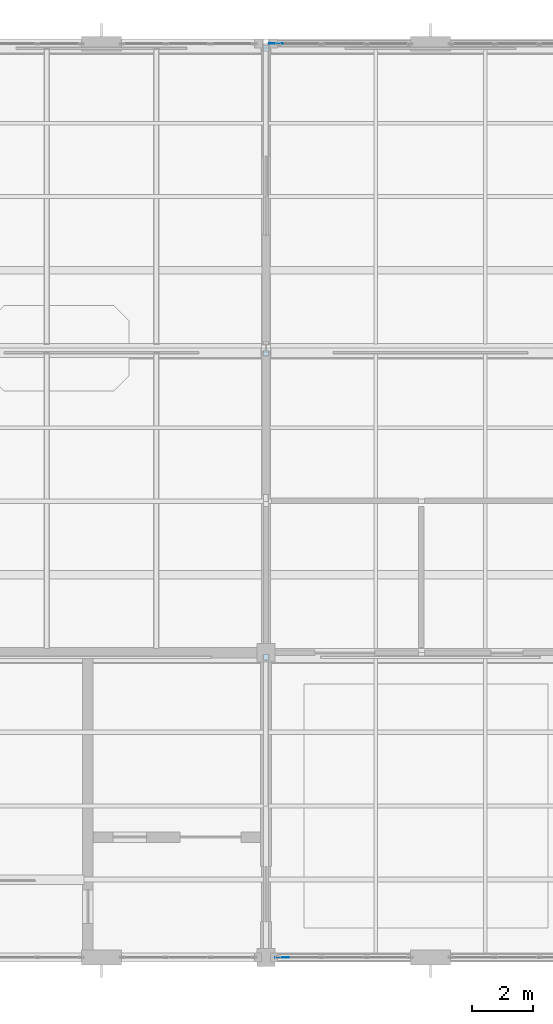
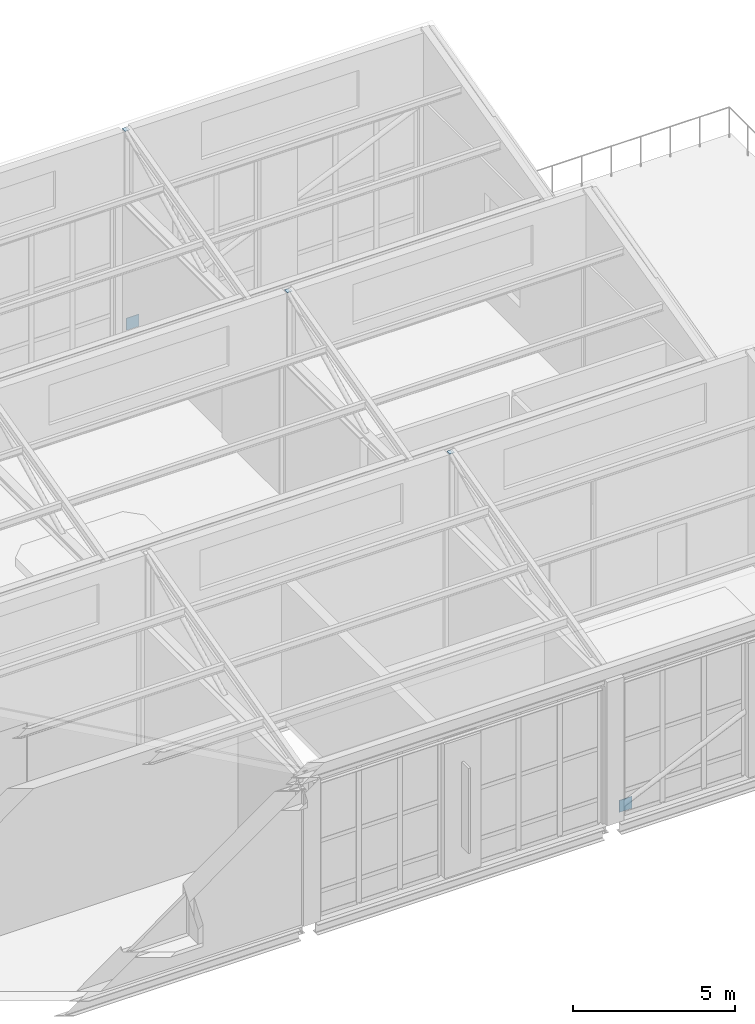
# One storey, part 38 of 49: 5 plates.
"""IFC4 building model written with IfcOpenShell, lengths in metres."""

from ifc_helpers import new_model, si_unit, direction, frame, origin, origin_2d, place, context, subcontext, project, spatial, rectangle, extrude, material, layer, layer_set, type_object, element, save


model = new_model("IFC4")

# Units and contexts
model_context = context("Model", 3, precision=1e-05, world=origin(), true_north=direction((0.0, 1.0)))
body_context = subcontext(model_context, "Body", "Model", "MODEL_VIEW")
ifc_project = project(units=[si_unit("LENGTHUNIT", "METRE"), si_unit("AREAUNIT", "SQUARE_METRE"), si_unit("VOLUMEUNIT", "CUBIC_METRE"), si_unit("PLANEANGLEUNIT", "RADIAN"), si_unit("MASSUNIT", "GRAM", prefix="KILO")], contexts=[model_context])

# Site, building, storey
site_placement = place(None, origin())
site = spatial("IfcSite", under=ifc_project, at=site_placement, CompositionType="ELEMENT")
building_placement = place(site_placement, origin())
building = spatial("IfcBuilding", under=site, at=building_placement, Name="Tasgan Crest Museum", CompositionType="ELEMENT")
storey_placement = place(building_placement, frame((0.0, 0.0, 28.800048828125)))
storey = spatial("IfcBuildingStorey", under=building, at=storey_placement, Name="L05", CompositionType="ELEMENT", Elevation=28.800048828125)

# Plates
ifc_material_1 = material(Name="Steel S355K2", Category="steel")
ifc_layer_1 = layer(ifc_material_1, 0.179931640625, Name="PL-CAP-180x180x10")
ifc_layer_set_1 = layer_set([ifc_layer_1], Name="Steel S355K2")
plate_type_1 = type_object("IfcPlateType", Name="PL-CAP-180x180x10", PredefinedType="USERDEFINED", material=ifc_layer_set_1)
for number, where, z_axis, x_axis, name in (
    (1, (64.800048828125, 91.85009765625, 7.7998046875), (0.0, 0.0, 1.0), (1.0, 0.0, 0.0), "End plate Roof truss north post B1 7 end B"),
    (2, (64.800048828125, 101.85009765625, 7.7998046875), (0.0, 0.0, 1.0), (1.0, 0.0, 0.0), "End plate Roof truss north post B2 7 end B"),
    (3, (64.800048828125, 111.85009765625, 7.7998046875), (0.0, 0.0, 1.0), (1.0, 0.0, 0.0), "End plate Roof truss north post B3 7 end B"),
):
    element("IfcPlate", number, at=place(storey_placement, frame(where, z_axis=z_axis, x_axis=x_axis)), inside=storey, type_object=plate_type_1, Name=name, ObjectType="END PLATE", PredefinedType="USERDEFINED", context=body_context, shape_type="SweptSolid", body=[
        extrude(rectangle(XDim=0.179931640625, YDim=0.179931640625, at=origin_2d()), origin(), (0.0, 0.0, 1.0), 0.010009765625),
    ])
ifc_material_2 = material(Name="Steel S355K2", Category="steel")
ifc_layer_2 = layer(ifc_material_2, 0.02001953125, Name="PL-GUSSET-450")
ifc_layer_set_2 = layer_set([ifc_layer_2], Name="Steel S355K2")
plate_type_2 = type_object("IfcPlateType", Name="PL-GUSSET-450", PredefinedType="USERDEFINED", material=ifc_layer_set_2)
for number, where, z_axis, x_axis, name in (
    (4, (65.125, 112.0, 0.125), (0.0, 0.0, 1.0), (1.0, 0.0, 0.0), "Diagonal gusset plate L05 M 64.8"),
    (5, (65.324951171875, 82.0, 0.125), (0.0, 0.0, 1.0), (1.0, 0.0, 0.0), "Diagonal gusset plate L05 J 64.8"),
):
    element("IfcPlate", number, at=place(storey_placement, frame(where, z_axis=z_axis, x_axis=x_axis)), inside=storey, type_object=plate_type_2, Name=name, ObjectType="GUSSET PLATE", PredefinedType="USERDEFINED", context=body_context, shape_type="SweptSolid", body=[
        extrude(rectangle(XDim=0.449951171875, YDim=0.02001953125, at=origin_2d()), origin(), (0.0, 0.0, 1.0), 0.449951171875),
    ])

save(model, "model.ifc")
